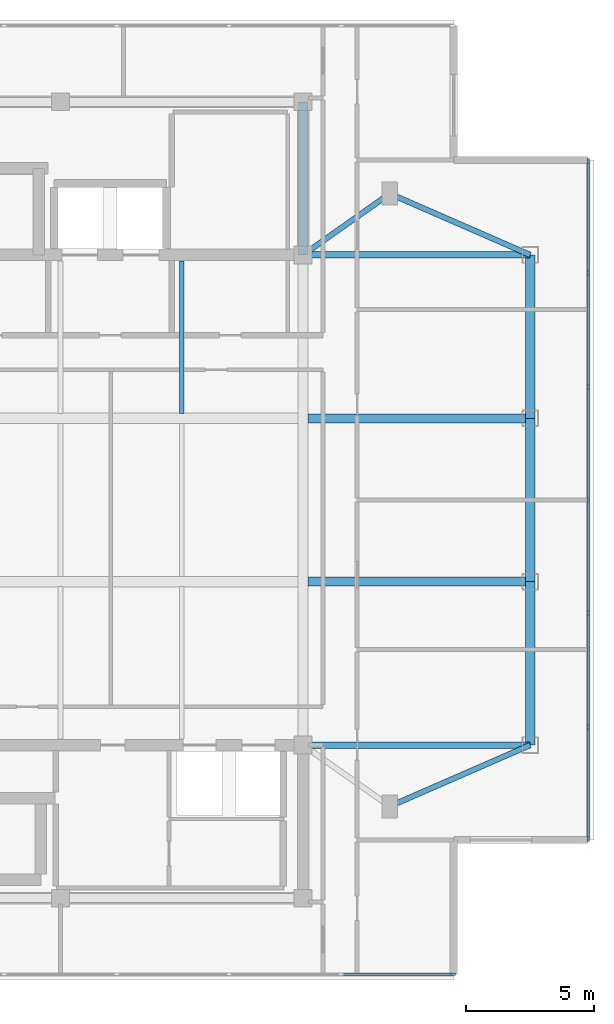
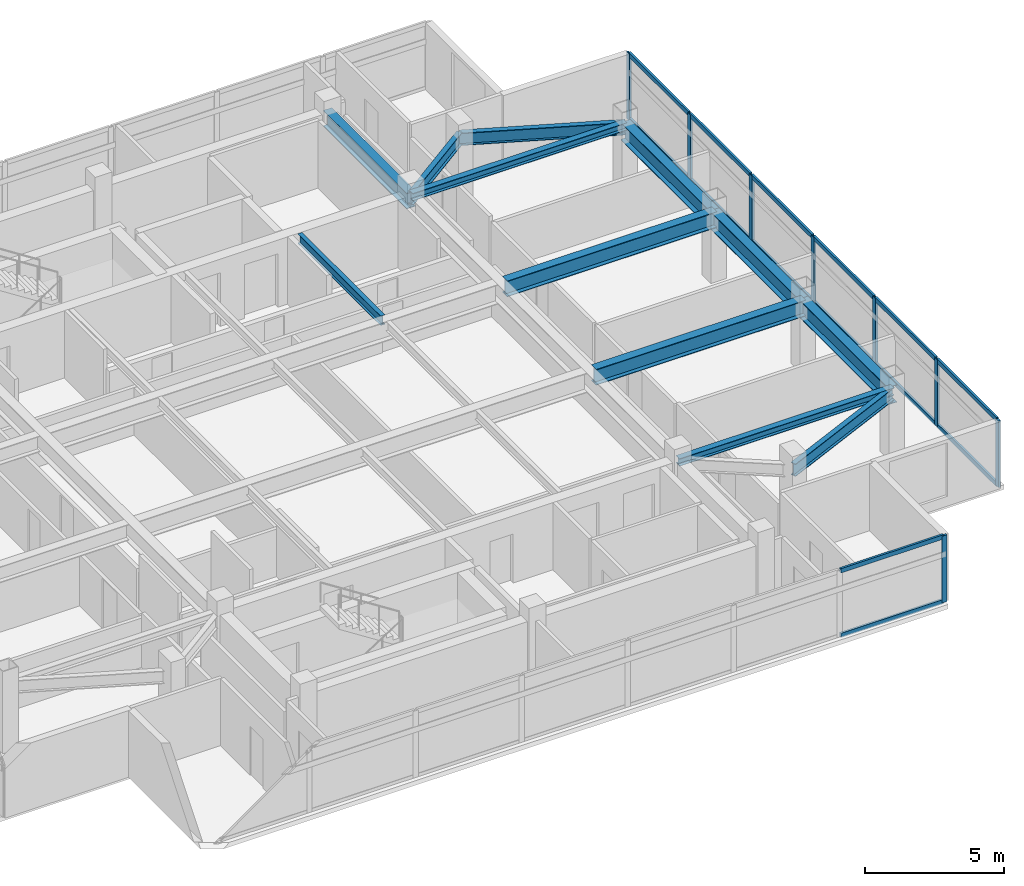
# One storey, part 3 of 11: 22 members, 12 beams, 2 elements without a shape of their own.
"""IFC4 building model written with IfcOpenShell, lengths in metres."""

from ifc_helpers import new_model, si_unit, direction, frame, origin, origin_2d, place, context, subcontext, project, spatial, rectangle, i_section, extrude, material, material_profile, profile_set, type_object, element, aggregate, save


model = new_model("IFC4")

# Units and contexts
model_context = context("Model", 3, precision=1e-05, world=origin(), true_north=direction((0.0, 1.0)))
body_context = subcontext(model_context, "Body", "Model", "MODEL_VIEW")
ifc_project = project(units=[si_unit("LENGTHUNIT", "METRE"), si_unit("AREAUNIT", "SQUARE_METRE"), si_unit("VOLUMEUNIT", "CUBIC_METRE"), si_unit("PLANEANGLEUNIT", "RADIAN"), si_unit("MASSUNIT", "GRAM", prefix="KILO")], contexts=[model_context])

# Site, building, storey
site_placement = place(None, origin())
site = spatial("IfcSite", under=ifc_project, at=site_placement, CompositionType="ELEMENT")
building_placement = place(site_placement, origin())
building = spatial("IfcBuilding", under=site, at=building_placement, Name="Mirazonda Arch Towers", CompositionType="ELEMENT")
storey_placement = place(building_placement, frame((0.0, 0.0, 259.89990234375)))
storey = spatial("IfcBuildingStorey", under=building, at=storey_placement, Name="L74", CompositionType="ELEMENT", Elevation=259.89990234375)

# Beams
ifc_material_1 = material(Name="Steel ASTM A992 Grade 50", Category="steel")
ifc_material_profile_1 = material_profile(ifc_material_1, i_section(OverallWidth=0.381103515625, OverallDepth=0.77294921875, WebThickness=0.0166015625, FlangeThickness=0.027099609375, at=origin_2d()), Name="W30X173")
ifc_profile_set_1 = profile_set([ifc_material_profile_1], Name="Steel ASTM A992 Grade 50")
beam_type_1 = type_object("IfcBeamType", Name="BM-EXT-W30X173", PredefinedType="USERDEFINED", material=ifc_profile_set_1)
beam_1_placement = place(storey_placement, frame((38.89990234375, 18.39990234375, 2.5634765625), z_axis=(0.0, 1.0, 0.0), x_axis=(-1.0, 0.0, 0.0)))
element("IfcBeam", 1, at=beam_1_placement, inside=storey, type_object=beam_type_1, Name="L74 Floor Beam BM-T1-L74-NS-E-18", ObjectType="GIRDER", PredefinedType="USERDEFINED", context=body_context, shape_type="SweptSolid", body=[
    extrude(i_section(OverallWidth=0.381103515625, OverallDepth=0.77294921875, WebThickness=0.0166015625, FlangeThickness=0.027099609375, at=origin_2d()), origin(), (0.0, 0.0, 1.0), 6.400146484375),
])
beam_2_placement = place(storey_placement, frame((38.89990234375, 24.800048828125, 2.5634765625), z_axis=(0.0, 1.0, 0.0), x_axis=(-1.0, 0.0, 0.0)))
element("IfcBeam", 2, at=beam_2_placement, inside=storey, type_object=beam_type_1, Name="L74 Floor Beam BM-T1-L74-NS-E-24", ObjectType="GIRDER", PredefinedType="USERDEFINED", context=body_context, shape_type="SweptSolid", body=[
    extrude(i_section(OverallWidth=0.381103515625, OverallDepth=0.77294921875, WebThickness=0.0166015625, FlangeThickness=0.027099609375, at=origin_2d()), origin(), (0.0, 0.0, 1.0), 6.39990234375),
])
beam_3_placement = place(storey_placement, frame((38.89990234375, 31.199951171875, 2.5634765625), z_axis=(0.0, 1.0, 0.0), x_axis=(-1.0, 0.0, 0.0)))
element("IfcBeam", 3, at=beam_3_placement, inside=storey, type_object=beam_type_1, Name="L74 Floor Beam BM-T1-L74-NS-E-31", ObjectType="GIRDER", PredefinedType="USERDEFINED", context=body_context, shape_type="SweptSolid", body=[
    extrude(i_section(OverallWidth=0.381103515625, OverallDepth=0.77294921875, WebThickness=0.0166015625, FlangeThickness=0.027099609375, at=origin_2d()), origin(), (0.0, 0.0, 1.0), 6.400146484375),
])
ifc_material_profile_2 = material_profile(ifc_material_1, i_section(OverallWidth=0.257080078125, OverallDepth=0.330078125, WebThickness=0.011962890625, FlangeThickness=0.01953125, at=origin_2d()), Name="W10X68")
ifc_profile_set_2 = profile_set([ifc_material_profile_2], Name="Steel ASTM A992 Grade 50")
beam_type_2 = type_object("IfcBeamType", Name="BM-INT-W10X68", PredefinedType="BEAM", material=ifc_profile_set_2)
for number, where, z_axis, x_axis, name in (
    (4, (30.0, 37.60009765625, 2.78515625), (1.0, 0.0, 0.0), (0.0, 1.0, 0.0), "L74 Floor Beam CBC-T1-L74-NE"),
    (5, (30.0, 18.39990234375, 2.78515625), (1.0, 0.0, 0.0), (0.0, 1.0, 0.0), "L74 Floor Beam CBC-T1-L74-SE"),
):
    element("IfcBeam", number, at=place(storey_placement, frame(where, z_axis=z_axis, x_axis=x_axis)), inside=storey, type_object=beam_type_2, Name=name, PredefinedType="BEAM", context=body_context, shape_type="SweptSolid", body=[
        extrude(i_section(OverallWidth=0.257080078125, OverallDepth=0.330078125, WebThickness=0.011962890625, FlangeThickness=0.01953125, at=origin_2d()), origin(), (0.0, 0.0, 1.0), 8.89990234375),
    ])
ifc_material_profile_3 = material_profile(ifc_material_1, i_section(OverallWidth=0.180908203125, OverallDepth=0.4169921875, WebThickness=0.010986328125, FlangeThickness=0.018310546875, at=origin_2d()), Name="W16X57")
ifc_profile_set_3 = profile_set([ifc_material_profile_3], Name="Steel ASTM A992 Grade 50")
beam_type_3 = type_object("IfcBeamType", Name="BM-INT-W16X57", PredefinedType="JOIST", material=ifc_profile_set_3)
beam_4_placement = place(storey_placement, frame((25.25, 31.39599609375, 2.74169921875), z_axis=(0.0, 1.0, 0.0), x_axis=(-1.0, 0.0, 0.0)))
element("IfcBeam", 6, at=beam_4_placement, inside=storey, type_object=beam_type_3, Name="L74 Floor Beam BM-T1-L74-J-252-31", PredefinedType="JOIST", context=body_context, shape_type="SweptSolid", body=[
    extrude(i_section(OverallWidth=0.180908203125, OverallDepth=0.4169921875, WebThickness=0.010986328125, FlangeThickness=0.018310546875, at=origin_2d()), origin(), (0.0, 0.0, 1.0), 5.964111328125),
])
ifc_material_profile_4 = material_profile(ifc_material_1, i_section(OverallWidth=0.214111328125, OverallDepth=0.549072265625, WebThickness=0.0146484375, FlangeThickness=0.023681640625, at=origin_2d()), Name="W21X93")
ifc_profile_set_4 = profile_set([ifc_material_profile_4], Name="Steel ASTM A992 Grade 50")
beam_type_4 = type_object("IfcBeamType", Name="BM-INT-W21X93", PredefinedType="BEAM", material=ifc_profile_set_4)
beam_5_placement = place(storey_placement, frame((33.39990234375, 16.0, 2.675537109375), z_axis=(0.916545343703, 0.399930785183, 0.0), x_axis=(-0.399930785183, 0.916545343703, 0.0)))
element("IfcBeam", 7, at=beam_5_placement, inside=storey, type_object=beam_type_4, Name="L74 Floor Beam BM-T1-L74-PL-SE2", PredefinedType="BEAM", context=body_context, shape_type="SweptSolid", body=[
    extrude(i_section(OverallWidth=0.214111328125, OverallDepth=0.549072265625, WebThickness=0.0146484375, FlangeThickness=0.023681640625, at=origin_2d()), origin(), (0.0, 0.0, 1.0), 6.000732421875),
])
beam_6_placement = place(storey_placement, frame((33.39990234375, 40.0, 2.675537109375), z_axis=(-0.816971114901, -0.576678591087, 0.0), x_axis=(0.576678591087, -0.816971114901, 0.0)))
element("IfcBeam", 8, at=beam_6_placement, inside=storey, type_object=beam_type_4, Name="L74 Floor Beam BM-T1-L74-PL-NE1", PredefinedType="BEAM", context=body_context, shape_type="SweptSolid", body=[
    extrude(i_section(OverallWidth=0.214111328125, OverallDepth=0.549072265625, WebThickness=0.0146484375, FlangeThickness=0.023681640625, at=origin_2d()), origin(), (0.0, 0.0, 1.0), 4.16162109375),
])
beam_7_placement = place(storey_placement, frame((33.39990234375, 40.0, 2.675537109375), z_axis=(0.916545343703, -0.399930785183, 0.0), x_axis=(0.399930785183, 0.916545343703, 0.0)))
element("IfcBeam", 9, at=beam_7_placement, inside=storey, type_object=beam_type_4, Name="L74 Floor Beam BM-T1-L74-PL-NE2", PredefinedType="BEAM", context=body_context, shape_type="SweptSolid", body=[
    extrude(i_section(OverallWidth=0.214111328125, OverallDepth=0.549072265625, WebThickness=0.0146484375, FlangeThickness=0.023681640625, at=origin_2d()), origin(), (0.0, 0.0, 1.0), 6.000732421875),
])
ifc_material_profile_5 = material_profile(ifc_material_1, i_section(OverallWidth=0.35498046875, OverallDepth=0.696044921875, WebThickness=0.015380859375, FlangeThickness=0.02490234375, at=origin_2d()), Name="W27X146")
ifc_profile_set_5 = profile_set([ifc_material_profile_5], Name="Steel ASTM A992 Grade 50")
beam_type_5 = type_object("IfcBeamType", Name="BM-INT-W27X146", PredefinedType="BEAM", material=ifc_profile_set_5)
for number, where, z_axis, x_axis, name in (
    (10, (30.199951171875, 24.800048828125, 2.60205078125), (1.0, 0.0, 0.0), (0.0, 1.0, 0.0), "L74 Floor Beam BM-T1-L74-GE2"),
    (11, (30.199951171875, 31.199951171875, 2.60205078125), (1.0, 0.0, 0.0), (0.0, 1.0, 0.0), "L74 Floor Beam BM-T1-L74-GE3"),
):
    element("IfcBeam", number, at=place(storey_placement, frame(where, z_axis=z_axis, x_axis=x_axis)), inside=storey, type_object=beam_type_5, Name=name, PredefinedType="BEAM", context=body_context, shape_type="SweptSolid", body=[
        extrude(i_section(OverallWidth=0.35498046875, OverallDepth=0.696044921875, WebThickness=0.015380859375, FlangeThickness=0.02490234375, at=origin_2d()), origin(), (0.0, 0.0, 1.0), 8.699951171875),
    ])
beam_8_placement = place(storey_placement, frame((30.0, 37.60009765625, 2.60205078125), z_axis=(0.0, 1.0, 0.0), x_axis=(-1.0, 0.0, 0.0)))
element("IfcBeam", 12, at=beam_8_placement, inside=storey, type_object=beam_type_5, Name="L74 Floor Beam BM-T1-L74-CNE", PredefinedType="BEAM", context=body_context, shape_type="SweptSolid", body=[
    extrude(i_section(OverallWidth=0.35498046875, OverallDepth=0.696044921875, WebThickness=0.015380859375, FlangeThickness=0.02490234375, at=origin_2d()), origin(), (0.0, 0.0, 1.0), 6.0),
])

# Curtain wall, member
ifc_material_2 = material(Name="Anodised Aluminium and Low-E Glass", Category="aluminium")
curtain_wall_type = type_object("IfcCurtainWallType", Name="CW-OBS-LANTERN", PredefinedType="NOTDEFINED", material=ifc_material_2)
curtain_wall_1_placement = place(storey_placement, origin())
curtain_wall_1 = element("IfcCurtainWall", 13, at=curtain_wall_1_placement, inside=storey, type_object=curtain_wall_type, Name="L74 T1 S Facade CW-L74-T1-S", PredefinedType="NOTDEFINED")
ifc_material_3 = material(Name="Anodised Aluminium Alloy", Category="aluminium")
ifc_material_profile_6 = material_profile(ifc_material_3, rectangle(XDim=0.090087890625, YDim=0.2099609375, at=origin_2d()), Name="ALU-MULL-90x210")
ifc_profile_set_6 = profile_set([ifc_material_profile_6], Name="Anodised Aluminium Alloy")
member_type_1 = type_object("IfcMemberType", Name="MULL-CW-OBS-LANTERN", PredefinedType="MULLION", material=ifc_profile_set_6)
member_1_placement = place(storey_placement, frame((35.860107421875, 9.416015625, 0.0), z_axis=(0.0, 0.0, 1.0), x_axis=(0.0, -1.0, 0.0)))
member_1 = element("IfcMember", 14, at=member_1_placement, type_object=member_type_1, Name="CW-110 mullion 1", PredefinedType="MULLION", context=body_context, shape_type="SweptSolid", body=[
    extrude(rectangle(XDim=0.090087890625, YDim=0.2099609375, at=origin_2d()), origin(), (0.0, 0.0, 1.0), 2.93017578125),
])

# Curtain wall, members
curtain_wall_2_placement = place(storey_placement, origin())
curtain_wall_2 = element("IfcCurtainWall", 15, at=curtain_wall_2_placement, inside=storey, type_object=curtain_wall_type, Name="L74 T1 E Facade CW-L74-T1-E", PredefinedType="NOTDEFINED")
member_2_placement = place(storey_placement, frame((41.169921875, 14.72607421875, 0.0), z_axis=(0.0, 0.0, 1.0), x_axis=(-1.0, 0.0, 0.0)))
member_2 = element("IfcMember", 16, at=member_2_placement, type_object=member_type_1, Name="CW-110 mullion 1", PredefinedType="MULLION", context=body_context, shape_type="SweptSolid", body=[
    extrude(rectangle(XDim=0.090087890625, YDim=0.2099609375, at=origin_2d()), origin(), (0.0, 0.0, 1.0), 2.93017578125),
])
member_3_placement = place(storey_placement, frame((41.169921875, 19.12060546875, 0.0), z_axis=(0.0, 0.0, 1.0), x_axis=(-1.0, 0.0, 0.0)))
member_3 = element("IfcMember", 17, at=member_3_placement, type_object=member_type_1, Name="CW-110 mullion 2", PredefinedType="MULLION", context=body_context, shape_type="SweptSolid", body=[
    extrude(rectangle(XDim=0.090087890625, YDim=0.2099609375, at=origin_2d()), origin(), (0.0, 0.0, 1.0), 2.93017578125),
])
member_4_placement = place(storey_placement, frame((41.169921875, 23.560302734375, 0.0), z_axis=(0.0, 0.0, 1.0), x_axis=(-1.0, 0.0, 0.0)))
member_4 = element("IfcMember", 18, at=member_4_placement, type_object=member_type_1, Name="CW-110 mullion 3", PredefinedType="MULLION", context=body_context, shape_type="SweptSolid", body=[
    extrude(rectangle(XDim=0.090087890625, YDim=0.2099609375, at=origin_2d()), origin(), (0.0, 0.0, 1.0), 2.93017578125),
])
member_5_placement = place(storey_placement, frame((41.169921875, 28.0, 0.0), z_axis=(0.0, 0.0, 1.0), x_axis=(-1.0, 0.0, 0.0)))
member_5 = element("IfcMember", 19, at=member_5_placement, type_object=member_type_1, Name="CW-110 mullion 4", PredefinedType="MULLION", context=body_context, shape_type="SweptSolid", body=[
    extrude(rectangle(XDim=0.090087890625, YDim=0.2099609375, at=origin_2d()), origin(), (0.0, 0.0, 1.0), 2.93017578125),
])
member_6_placement = place(storey_placement, frame((41.169921875, 32.439697265625, 0.0), z_axis=(0.0, 0.0, 1.0), x_axis=(-1.0, 0.0, 0.0)))
member_6 = element("IfcMember", 20, at=member_6_placement, type_object=member_type_1, Name="CW-110 mullion 5", PredefinedType="MULLION", context=body_context, shape_type="SweptSolid", body=[
    extrude(rectangle(XDim=0.090087890625, YDim=0.2099609375, at=origin_2d()), origin(), (0.0, 0.0, 1.0), 2.93017578125),
])
member_7_placement = place(storey_placement, frame((41.169921875, 36.87939453125, 0.0), z_axis=(0.0, 0.0, 1.0), x_axis=(-1.0, 0.0, 0.0)))
member_7 = element("IfcMember", 21, at=member_7_placement, type_object=member_type_1, Name="CW-110 mullion 6", PredefinedType="MULLION", context=body_context, shape_type="SweptSolid", body=[
    extrude(rectangle(XDim=0.090087890625, YDim=0.2099609375, at=origin_2d()), origin(), (0.0, 0.0, 1.0), 2.93017578125),
])
member_8_placement = place(storey_placement, frame((41.169921875, 41.27392578125, 0.0), z_axis=(0.0, 0.0, 1.0), x_axis=(-1.0, 0.0, 0.0)))
member_8 = element("IfcMember", 22, at=member_8_placement, type_object=member_type_1, Name="CW-110 mullion 7", PredefinedType="MULLION", context=body_context, shape_type="SweptSolid", body=[
    extrude(rectangle(XDim=0.090087890625, YDim=0.2099609375, at=origin_2d()), origin(), (0.0, 0.0, 1.0), 2.93017578125),
])

# Member
ifc_material_profile_7 = material_profile(ifc_material_3, rectangle(XDim=0.090087890625, YDim=0.18994140625, at=origin_2d()), Name="ALU-TRAN-90x190")
ifc_profile_set_7 = profile_set([ifc_material_profile_7], Name="Anodised Aluminium Alloy")
member_type_2 = type_object("IfcMemberType", Name="TRAN-CW-OBS-LANTERN", PredefinedType="USERDEFINED", material=ifc_profile_set_7)
member_9_placement = place(storey_placement, frame((35.81494140625, 9.416015625, 0.045166015625), z_axis=(-1.0, 0.0, 0.0), x_axis=(0.0, -1.0, 0.0)))
member_9 = element("IfcMember", 23, at=member_9_placement, type_object=member_type_2, Name="CW-110 transom 1.1", ObjectType="TRANSOM", PredefinedType="USERDEFINED", context=body_context, shape_type="SweptSolid", body=[
    extrude(rectangle(XDim=0.090087890625, YDim=0.18994140625, at=origin_2d()), origin(), (0.0, 0.0, 1.0), 4.266357421875),
])

member_10_placement = place(storey_placement, frame((35.81494140625, 9.416015625, 2.885009765625), z_axis=(-1.0, 0.0, 0.0), x_axis=(0.0, -1.0, 0.0)))
member_10 = element("IfcMember", 24, at=member_10_placement, type_object=member_type_2, Name="CW-110 transom 1.2", ObjectType="TRANSOM", PredefinedType="USERDEFINED", context=body_context, shape_type="SweptSolid", body=[
    extrude(rectangle(XDim=0.090087890625, YDim=0.18994140625, at=origin_2d()), origin(), (0.0, 0.0, 1.0), 4.266357421875),
])

aggregate(curtain_wall_1, [member_1, member_9, member_10])

member_11_placement = place(storey_placement, frame((41.169921875, 14.77099609375, 0.045166015625), z_axis=(0.0, 1.0, 0.0), x_axis=(-1.0, 0.0, 0.0)))
member_11 = element("IfcMember", 25, at=member_11_placement, type_object=member_type_2, Name="CW-110 transom 1.1", ObjectType="TRANSOM", PredefinedType="USERDEFINED", context=body_context, shape_type="SweptSolid", body=[
    extrude(rectangle(XDim=0.090087890625, YDim=0.18994140625, at=origin_2d()), origin(), (0.0, 0.0, 1.0), 4.3046875),
])

member_12_placement = place(storey_placement, frame((41.169921875, 14.77099609375, 2.885009765625), z_axis=(0.0, 1.0, 0.0), x_axis=(-1.0, 0.0, 0.0)))
member_12 = element("IfcMember", 26, at=member_12_placement, type_object=member_type_2, Name="CW-110 transom 1.2", ObjectType="TRANSOM", PredefinedType="USERDEFINED", context=body_context, shape_type="SweptSolid", body=[
    extrude(rectangle(XDim=0.090087890625, YDim=0.18994140625, at=origin_2d()), origin(), (0.0, 0.0, 1.0), 4.3046875),
])

member_13_placement = place(storey_placement, frame((41.169921875, 19.165771484375, 0.045166015625), z_axis=(0.0, 1.0, 0.0), x_axis=(-1.0, 0.0, 0.0)))
member_13 = element("IfcMember", 27, at=member_13_placement, type_object=member_type_2, Name="CW-110 transom 2.1", ObjectType="TRANSOM", PredefinedType="USERDEFINED", context=body_context, shape_type="SweptSolid", body=[
    extrude(rectangle(XDim=0.090087890625, YDim=0.18994140625, at=origin_2d()), origin(), (0.0, 0.0, 1.0), 4.349609375),
])

member_14_placement = place(storey_placement, frame((41.169921875, 19.165771484375, 2.885009765625), z_axis=(0.0, 1.0, 0.0), x_axis=(-1.0, 0.0, 0.0)))
member_14 = element("IfcMember", 28, at=member_14_placement, type_object=member_type_2, Name="CW-110 transom 2.2", ObjectType="TRANSOM", PredefinedType="USERDEFINED", context=body_context, shape_type="SweptSolid", body=[
    extrude(rectangle(XDim=0.090087890625, YDim=0.18994140625, at=origin_2d()), origin(), (0.0, 0.0, 1.0), 4.349609375),
])

member_15_placement = place(storey_placement, frame((41.169921875, 23.605224609375, 0.045166015625), z_axis=(0.0, 1.0, 0.0), x_axis=(-1.0, 0.0, 0.0)))
member_15 = element("IfcMember", 29, at=member_15_placement, type_object=member_type_2, Name="CW-110 transom 3.1", ObjectType="TRANSOM", PredefinedType="USERDEFINED", context=body_context, shape_type="SweptSolid", body=[
    extrude(rectangle(XDim=0.090087890625, YDim=0.18994140625, at=origin_2d()), origin(), (0.0, 0.0, 1.0), 4.349853515625),
])

member_16_placement = place(storey_placement, frame((41.169921875, 23.605224609375, 2.885009765625), z_axis=(0.0, 1.0, 0.0), x_axis=(-1.0, 0.0, 0.0)))
member_16 = element("IfcMember", 30, at=member_16_placement, type_object=member_type_2, Name="CW-110 transom 3.2", ObjectType="TRANSOM", PredefinedType="USERDEFINED", context=body_context, shape_type="SweptSolid", body=[
    extrude(rectangle(XDim=0.090087890625, YDim=0.18994140625, at=origin_2d()), origin(), (0.0, 0.0, 1.0), 4.349853515625),
])

member_17_placement = place(storey_placement, frame((41.169921875, 28.044921875, 0.045166015625), z_axis=(0.0, 1.0, 0.0), x_axis=(-1.0, 0.0, 0.0)))
member_17 = element("IfcMember", 31, at=member_17_placement, type_object=member_type_2, Name="CW-110 transom 4.1", ObjectType="TRANSOM", PredefinedType="USERDEFINED", context=body_context, shape_type="SweptSolid", body=[
    extrude(rectangle(XDim=0.090087890625, YDim=0.18994140625, at=origin_2d()), origin(), (0.0, 0.0, 1.0), 4.349853515625),
])

member_18_placement = place(storey_placement, frame((41.169921875, 28.044921875, 2.885009765625), z_axis=(0.0, 1.0, 0.0), x_axis=(-1.0, 0.0, 0.0)))
member_18 = element("IfcMember", 32, at=member_18_placement, type_object=member_type_2, Name="CW-110 transom 4.2", ObjectType="TRANSOM", PredefinedType="USERDEFINED", context=body_context, shape_type="SweptSolid", body=[
    extrude(rectangle(XDim=0.090087890625, YDim=0.18994140625, at=origin_2d()), origin(), (0.0, 0.0, 1.0), 4.349853515625),
])

member_19_placement = place(storey_placement, frame((41.169921875, 32.484619140625, 0.045166015625), z_axis=(0.0, 1.0, 0.0), x_axis=(-1.0, 0.0, 0.0)))
member_19 = element("IfcMember", 33, at=member_19_placement, type_object=member_type_2, Name="CW-110 transom 5.1", ObjectType="TRANSOM", PredefinedType="USERDEFINED", context=body_context, shape_type="SweptSolid", body=[
    extrude(rectangle(XDim=0.090087890625, YDim=0.18994140625, at=origin_2d()), origin(), (0.0, 0.0, 1.0), 4.349609375),
])

member_20_placement = place(storey_placement, frame((41.169921875, 32.484619140625, 2.885009765625), z_axis=(0.0, 1.0, 0.0), x_axis=(-1.0, 0.0, 0.0)))
member_20 = element("IfcMember", 34, at=member_20_placement, type_object=member_type_2, Name="CW-110 transom 5.2", ObjectType="TRANSOM", PredefinedType="USERDEFINED", context=body_context, shape_type="SweptSolid", body=[
    extrude(rectangle(XDim=0.090087890625, YDim=0.18994140625, at=origin_2d()), origin(), (0.0, 0.0, 1.0), 4.349609375),
])

member_21_placement = place(storey_placement, frame((41.169921875, 36.92431640625, 0.045166015625), z_axis=(0.0, 1.0, 0.0), x_axis=(-1.0, 0.0, 0.0)))
member_21 = element("IfcMember", 35, at=member_21_placement, type_object=member_type_2, Name="CW-110 transom 6.1", ObjectType="TRANSOM", PredefinedType="USERDEFINED", context=body_context, shape_type="SweptSolid", body=[
    extrude(rectangle(XDim=0.090087890625, YDim=0.18994140625, at=origin_2d()), origin(), (0.0, 0.0, 1.0), 4.3046875),
])

member_22_placement = place(storey_placement, frame((41.169921875, 36.92431640625, 2.885009765625), z_axis=(0.0, 1.0, 0.0), x_axis=(-1.0, 0.0, 0.0)))
member_22 = element("IfcMember", 36, at=member_22_placement, type_object=member_type_2, Name="CW-110 transom 6.2", ObjectType="TRANSOM", PredefinedType="USERDEFINED", context=body_context, shape_type="SweptSolid", body=[
    extrude(rectangle(XDim=0.090087890625, YDim=0.18994140625, at=origin_2d()), origin(), (0.0, 0.0, 1.0), 4.3046875),
])

aggregate(curtain_wall_2, [member_2, member_3, member_4, member_5, member_6, member_7, member_8, member_11, member_12, member_13, member_14, member_15, member_16, member_17, member_18, member_19, member_20, member_21, member_22])

save(model, "model.ifc")
